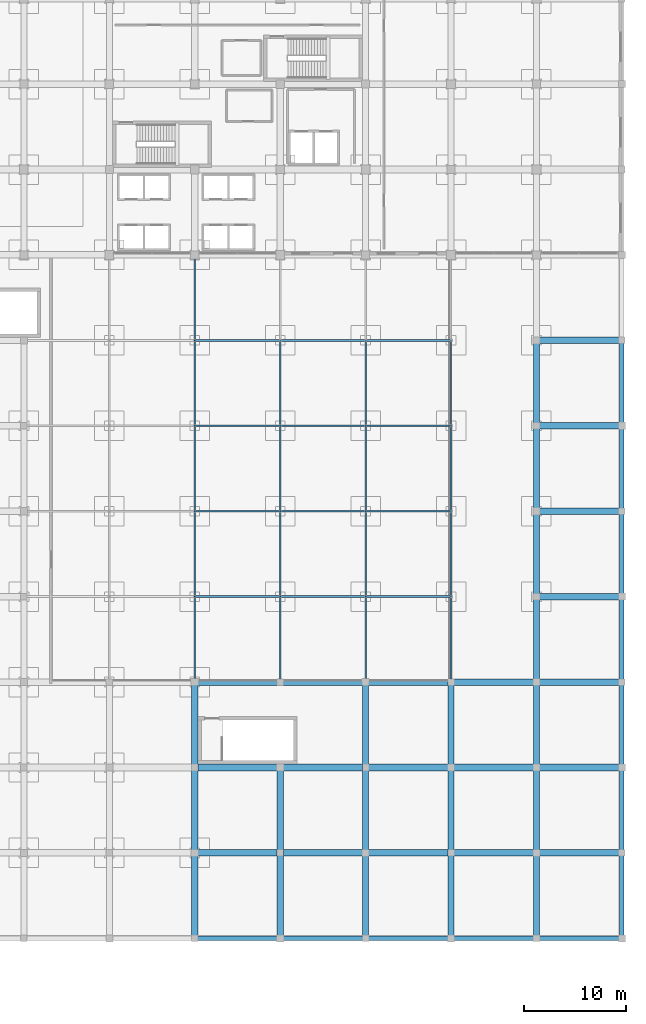
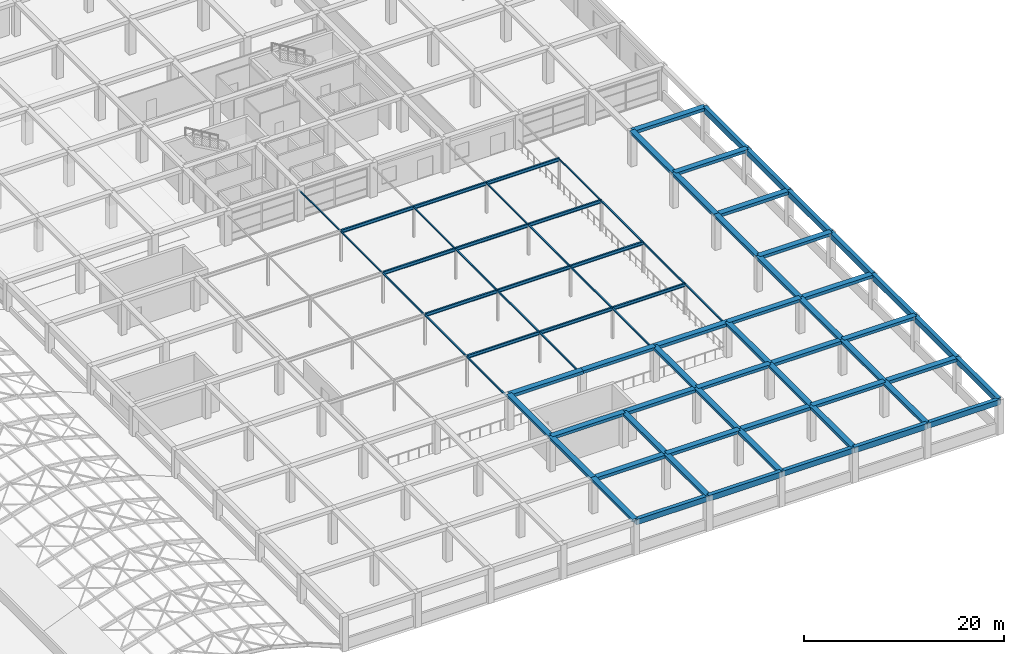
# One storey, part 52 of 85: 61 beams, 17 members.
"""IFC4 building model written with IfcOpenShell, lengths in metres."""

from ifc_helpers import new_model, si_unit, direction, frame, origin, origin_2d, place, context, subcontext, project, spatial, rectangle, hollow_rectangle, i_section, extrude, material, material_profile, profile_set, type_object, element, save


model = new_model("IFC4")

# Units and contexts
model_context = context("Model", 3, precision=1e-05, world=origin(), true_north=direction((0.0, 1.0)))
body_context = subcontext(model_context, "Body", "Model", "MODEL_VIEW")
ifc_project = project(units=[si_unit("LENGTHUNIT", "METRE"), si_unit("AREAUNIT", "SQUARE_METRE"), si_unit("VOLUMEUNIT", "CUBIC_METRE"), si_unit("PLANEANGLEUNIT", "RADIAN"), si_unit("MASSUNIT", "GRAM", prefix="KILO")], contexts=[model_context])

# Site, building, storey
site_placement = place(None, origin())
site = spatial("IfcSite", under=ifc_project, at=site_placement, CompositionType="ELEMENT")
building_placement = place(site_placement, origin())
building = spatial("IfcBuilding", under=site, at=building_placement, Name="Almacenes y Pasaje Nevantli", CompositionType="ELEMENT")
storey_placement = place(building_placement, frame((0.0, 0.0, 22.199951171875)))
storey = spatial("IfcBuildingStorey", under=building, at=storey_placement, Name="L05", CompositionType="ELEMENT", Elevation=22.199951171875)

# Beams
ifc_material_1 = material(Name="Concrete C35/45", Category="concrete")
ifc_material_profile_1 = material_profile(ifc_material_1, rectangle(XDim=0.449951171875, YDim=0.64990234375, at=origin_2d()), Name="RC-BM-450x650")
ifc_profile_set_1 = profile_set([ifc_material_profile_1], Name="Concrete C35/45")
beam_type_1 = type_object("IfcBeamType", Name="BM-RC-450x650", PredefinedType="SPANDREL", material=ifc_profile_set_1)
for number, where, z_axis, x_axis, name in (
    (1, (126.0, 0.0, 3.89501953125), (1.0, 0.0, 0.0), (0.0, 1.0, 0.0), "L05 East-West Reinforced Concrete Beam #3267"),
    (2, (142.800048828125, 0.0, 3.89501953125), (1.0, 0.0, 0.0), (0.0, 1.0, 0.0), "L05 East-West Reinforced Concrete Beam #3269"),
    (3, (159.60009765625, 0.0, 3.89501953125), (1.0, 0.0, 0.0), (0.0, 1.0, 0.0), "L05 East-West Reinforced Concrete Beam #3271"),
):
    element("IfcBeam", number, at=place(storey_placement, frame(where, z_axis=z_axis, x_axis=x_axis)), inside=storey, type_object=beam_type_1, Name=name, PredefinedType="SPANDREL", context=body_context, shape_type="SweptSolid", body=[
        extrude(rectangle(XDim=0.449951171875, YDim=0.64990234375, at=origin_2d()), origin(), (0.0, 0.0, 1.0), 8.39990234375),
    ])
ifc_material_2 = material(Name="Concrete C35/45", Category="concrete")
ifc_material_profile_2 = material_profile(ifc_material_2, rectangle(XDim=0.449951171875, YDim=0.699951171875, at=origin_2d()), Name="RC-BM-450x700")
ifc_profile_set_2 = profile_set([ifc_material_profile_2], Name="Concrete C35/45")
beam_type_2 = type_object("IfcBeamType", Name="BM-RC-450x700", PredefinedType="SPANDREL", material=ifc_profile_set_2)
for number, where, z_axis, x_axis, name in (
    (4, (134.39990234375, 0.0, 3.8701171875), (1.0, 0.0, 0.0), (0.0, 1.0, 0.0), "L05 East-West Reinforced Concrete Beam #3268"),
    (5, (151.199951171875, 0.0, 3.8701171875), (1.0, 0.0, 0.0), (0.0, 1.0, 0.0), "L05 East-West Reinforced Concrete Beam #3270"),
):
    element("IfcBeam", number, at=place(storey_placement, frame(where, z_axis=z_axis, x_axis=x_axis)), inside=storey, type_object=beam_type_2, Name=name, PredefinedType="SPANDREL", context=body_context, shape_type="SweptSolid", body=[
        extrude(rectangle(XDim=0.449951171875, YDim=0.699951171875, at=origin_2d()), origin(), (0.0, 0.0, 1.0), 8.400146484375),
    ])
beam_1_placement = place(storey_placement, frame((168.0, 0.0, 3.8701171875), z_axis=(0.0, 1.0, 0.0), x_axis=(-1.0, 0.0, 0.0)))
element("IfcBeam", 6, at=beam_1_placement, inside=storey, type_object=beam_type_2, Name="L05 North-South Reinforced Concrete Beam #3559", PredefinedType="SPANDREL", context=body_context, shape_type="SweptSolid", body=[
    extrude(rectangle(XDim=0.449951171875, YDim=0.699951171875, at=origin_2d()), origin(), (0.0, 0.0, 1.0), 8.39990234375),
])
beam_2_placement = place(storey_placement, frame((168.0, 8.39990234375, 3.8701171875), z_axis=(0.0, 1.0, 0.0), x_axis=(-1.0, 0.0, 0.0)))
element("IfcBeam", 7, at=beam_2_placement, inside=storey, type_object=beam_type_2, Name="L05 North-South Reinforced Concrete Beam #3560", PredefinedType="SPANDREL", context=body_context, shape_type="SweptSolid", body=[
    extrude(rectangle(XDim=0.449951171875, YDim=0.699951171875, at=origin_2d()), origin(), (0.0, 0.0, 1.0), 8.400146484375),
])
beam_3_placement = place(storey_placement, frame((168.0, 16.800048828125, 3.8701171875), z_axis=(0.0, 1.0, 0.0), x_axis=(-1.0, 0.0, 0.0)))
element("IfcBeam", 8, at=beam_3_placement, inside=storey, type_object=beam_type_2, Name="L05 North-South Reinforced Concrete Beam #3561", PredefinedType="SPANDREL", context=body_context, shape_type="SweptSolid", body=[
    extrude(rectangle(XDim=0.449951171875, YDim=0.699951171875, at=origin_2d()), origin(), (0.0, 0.0, 1.0), 8.39990234375),
])
beam_4_placement = place(storey_placement, frame((168.0, 25.199951171875, 3.8701171875), z_axis=(0.0, 1.0, 0.0), x_axis=(-1.0, 0.0, 0.0)))
element("IfcBeam", 9, at=beam_4_placement, inside=storey, type_object=beam_type_2, Name="L05 North-South Reinforced Concrete Beam #3562", PredefinedType="SPANDREL", context=body_context, shape_type="SweptSolid", body=[
    extrude(rectangle(XDim=0.449951171875, YDim=0.699951171875, at=origin_2d()), origin(), (0.0, 0.0, 1.0), 8.400146484375),
])
for number, where, z_axis, x_axis, name in (
    (10, (168.0, 33.60009765625, 3.8701171875), (0.0, 1.0, 0.0), (-1.0, 0.0, 0.0), "L05 North-South Reinforced Concrete Beam #3563"),
    (11, (168.0, 42.0, 3.8701171875), (0.0, 1.0, 0.0), (-1.0, 0.0, 0.0), "L05 North-South Reinforced Concrete Beam #3564"),
):
    element("IfcBeam", number, at=place(storey_placement, frame(where, z_axis=z_axis, x_axis=x_axis)), inside=storey, type_object=beam_type_2, Name=name, PredefinedType="SPANDREL", context=body_context, shape_type="SweptSolid", body=[
        extrude(rectangle(XDim=0.449951171875, YDim=0.699951171875, at=origin_2d()), origin(), (0.0, 0.0, 1.0), 8.39990234375),
    ])
beam_5_placement = place(storey_placement, frame((168.0, 50.39990234375, 3.8701171875), z_axis=(0.0, 1.0, 0.0), x_axis=(-1.0, 0.0, 0.0)))
element("IfcBeam", 12, at=beam_5_placement, inside=storey, type_object=beam_type_2, Name="L05 North-South Reinforced Concrete Beam #3565", PredefinedType="SPANDREL", context=body_context, shape_type="SweptSolid", body=[
    extrude(rectangle(XDim=0.449951171875, YDim=0.699951171875, at=origin_2d()), origin(), (0.0, 0.0, 1.0), 8.400146484375),
])
ifc_material_3 = material(Name="Concrete C35/45", Category="concrete")
ifc_material_profile_3 = material_profile(ifc_material_3, rectangle(XDim=0.60009765625, YDim=0.320068359375, at=origin_2d()), Name="RC-BM-600x320")
ifc_profile_set_3 = profile_set([ifc_material_profile_3], Name="Concrete C35/45")
beam_type_3 = type_object("IfcBeamType", Name="BM-RC-600x320", PredefinedType="BEAM", material=ifc_profile_set_3)
for number, where, z_axis, x_axis, name in (
    (13, (126.0, 0.0, 4.06005859375), (0.0, 1.0, 0.0), (-1.0, 0.0, 0.0), "L05 North-South Reinforced Concrete Beam #3513"),
    (14, (126.0, 16.800048828125, 4.06005859375), (0.0, 1.0, 0.0), (-1.0, 0.0, 0.0), "L05 North-South Reinforced Concrete Beam #3515"),
):
    element("IfcBeam", number, at=place(storey_placement, frame(where, z_axis=z_axis, x_axis=x_axis)), inside=storey, type_object=beam_type_3, Name=name, PredefinedType="BEAM", context=body_context, shape_type="SweptSolid", body=[
        extrude(rectangle(XDim=0.60009765625, YDim=0.320068359375, at=origin_2d()), origin(), (0.0, 0.0, 1.0), 8.39990234375),
    ])
beam_6_placement = place(storey_placement, frame((134.39990234375, 8.39990234375, 4.06005859375), z_axis=(0.0, 1.0, 0.0), x_axis=(-1.0, 0.0, 0.0)))
element("IfcBeam", 15, at=beam_6_placement, inside=storey, type_object=beam_type_3, Name="L05 North-South Reinforced Concrete Beam #3522", PredefinedType="BEAM", context=body_context, shape_type="SweptSolid", body=[
    extrude(rectangle(XDim=0.60009765625, YDim=0.320068359375, at=origin_2d()), origin(), (0.0, 0.0, 1.0), 8.400146484375),
])
for number, where, z_axis, x_axis, name in (
    (16, (142.800048828125, 0.0, 4.06005859375), (0.0, 1.0, 0.0), (-1.0, 0.0, 0.0), "L05 North-South Reinforced Concrete Beam #3528"),
    (17, (142.800048828125, 16.800048828125, 4.06005859375), (0.0, 1.0, 0.0), (-1.0, 0.0, 0.0), "L05 North-South Reinforced Concrete Beam #3530"),
):
    element("IfcBeam", number, at=place(storey_placement, frame(where, z_axis=z_axis, x_axis=x_axis)), inside=storey, type_object=beam_type_3, Name=name, PredefinedType="BEAM", context=body_context, shape_type="SweptSolid", body=[
        extrude(rectangle(XDim=0.60009765625, YDim=0.320068359375, at=origin_2d()), origin(), (0.0, 0.0, 1.0), 8.39990234375),
    ])
beam_7_placement = place(storey_placement, frame((151.199951171875, 8.39990234375, 4.06005859375), z_axis=(0.0, 1.0, 0.0), x_axis=(-1.0, 0.0, 0.0)))
element("IfcBeam", 18, at=beam_7_placement, inside=storey, type_object=beam_type_3, Name="L05 North-South Reinforced Concrete Beam #3538", PredefinedType="BEAM", context=body_context, shape_type="SweptSolid", body=[
    extrude(rectangle(XDim=0.60009765625, YDim=0.320068359375, at=origin_2d()), origin(), (0.0, 0.0, 1.0), 8.400146484375),
])
for number, where, z_axis, x_axis, name in (
    (19, (159.60009765625, 0.0, 4.06005859375), (0.0, 1.0, 0.0), (-1.0, 0.0, 0.0), "L05 North-South Reinforced Concrete Beam #3545"),
    (20, (159.60009765625, 16.800048828125, 4.06005859375), (0.0, 1.0, 0.0), (-1.0, 0.0, 0.0), "L05 North-South Reinforced Concrete Beam #3547"),
    (21, (159.60009765625, 33.60009765625, 4.06005859375), (0.0, 1.0, 0.0), (-1.0, 0.0, 0.0), "L05 North-South Reinforced Concrete Beam #3549"),
):
    element("IfcBeam", number, at=place(storey_placement, frame(where, z_axis=z_axis, x_axis=x_axis)), inside=storey, type_object=beam_type_3, Name=name, PredefinedType="BEAM", context=body_context, shape_type="SweptSolid", body=[
        extrude(rectangle(XDim=0.60009765625, YDim=0.320068359375, at=origin_2d()), origin(), (0.0, 0.0, 1.0), 8.39990234375),
    ])
beam_8_placement = place(storey_placement, frame((159.60009765625, 50.39990234375, 4.06005859375), z_axis=(0.0, 1.0, 0.0), x_axis=(-1.0, 0.0, 0.0)))
element("IfcBeam", 22, at=beam_8_placement, inside=storey, type_object=beam_type_3, Name="L05 North-South Reinforced Concrete Beam #3551", PredefinedType="BEAM", context=body_context, shape_type="SweptSolid", body=[
    extrude(rectangle(XDim=0.60009765625, YDim=0.320068359375, at=origin_2d()), origin(), (0.0, 0.0, 1.0), 8.400146484375),
])
ifc_material_4 = material(Name="Concrete C35/45", Category="concrete")
ifc_material_profile_4 = material_profile(ifc_material_4, rectangle(XDim=0.60009765625, YDim=0.340087890625, at=origin_2d()), Name="RC-BM-600x340")
ifc_profile_set_4 = profile_set([ifc_material_profile_4], Name="Concrete C35/45")
beam_type_4 = type_object("IfcBeamType", Name="BM-RC-600x340", PredefinedType="BEAM", material=ifc_profile_set_4)
beam_9_placement = place(storey_placement, frame((126.0, 8.39990234375, 4.050048828125), z_axis=(0.0, 1.0, 0.0), x_axis=(-1.0, 0.0, 0.0)))
element("IfcBeam", 23, at=beam_9_placement, inside=storey, type_object=beam_type_4, Name="L05 North-South Reinforced Concrete Beam #3514", PredefinedType="BEAM", context=body_context, shape_type="SweptSolid", body=[
    extrude(rectangle(XDim=0.60009765625, YDim=0.340087890625, at=origin_2d()), origin(), (0.0, 0.0, 1.0), 8.400146484375),
])
beam_10_placement = place(storey_placement, frame((134.39990234375, 0.0, 4.050048828125), z_axis=(0.0, 1.0, 0.0), x_axis=(-1.0, 0.0, 0.0)))
element("IfcBeam", 24, at=beam_10_placement, inside=storey, type_object=beam_type_4, Name="L05 North-South Reinforced Concrete Beam #3521", PredefinedType="BEAM", context=body_context, shape_type="SweptSolid", body=[
    extrude(rectangle(XDim=0.60009765625, YDim=0.340087890625, at=origin_2d()), origin(), (0.0, 0.0, 1.0), 8.39990234375),
])
beam_11_placement = place(storey_placement, frame((142.800048828125, 8.39990234375, 4.050048828125), z_axis=(0.0, 1.0, 0.0), x_axis=(-1.0, 0.0, 0.0)))
element("IfcBeam", 25, at=beam_11_placement, inside=storey, type_object=beam_type_4, Name="L05 North-South Reinforced Concrete Beam #3529", PredefinedType="BEAM", context=body_context, shape_type="SweptSolid", body=[
    extrude(rectangle(XDim=0.60009765625, YDim=0.340087890625, at=origin_2d()), origin(), (0.0, 0.0, 1.0), 8.400146484375),
])
for number, where, z_axis, x_axis, name in (
    (26, (151.199951171875, 0.0, 4.050048828125), (0.0, 1.0, 0.0), (-1.0, 0.0, 0.0), "L05 North-South Reinforced Concrete Beam #3537"),
    (27, (151.199951171875, 16.800048828125, 4.050048828125), (0.0, 1.0, 0.0), (-1.0, 0.0, 0.0), "L05 North-South Reinforced Concrete Beam #3539"),
):
    element("IfcBeam", number, at=place(storey_placement, frame(where, z_axis=z_axis, x_axis=x_axis)), inside=storey, type_object=beam_type_4, Name=name, PredefinedType="BEAM", context=body_context, shape_type="SweptSolid", body=[
        extrude(rectangle(XDim=0.60009765625, YDim=0.340087890625, at=origin_2d()), origin(), (0.0, 0.0, 1.0), 8.39990234375),
    ])
for number, where, z_axis, x_axis, name in (
    (28, (159.60009765625, 8.39990234375, 4.050048828125), (0.0, 1.0, 0.0), (-1.0, 0.0, 0.0), "L05 North-South Reinforced Concrete Beam #3546"),
    (29, (159.60009765625, 25.199951171875, 4.050048828125), (0.0, 1.0, 0.0), (-1.0, 0.0, 0.0), "L05 North-South Reinforced Concrete Beam #3548"),
):
    element("IfcBeam", number, at=place(storey_placement, frame(where, z_axis=z_axis, x_axis=x_axis)), inside=storey, type_object=beam_type_4, Name=name, PredefinedType="BEAM", context=body_context, shape_type="SweptSolid", body=[
        extrude(rectangle(XDim=0.60009765625, YDim=0.340087890625, at=origin_2d()), origin(), (0.0, 0.0, 1.0), 8.400146484375),
    ])
beam_12_placement = place(storey_placement, frame((159.60009765625, 42.0, 4.050048828125), z_axis=(0.0, 1.0, 0.0), x_axis=(-1.0, 0.0, 0.0)))
element("IfcBeam", 30, at=beam_12_placement, inside=storey, type_object=beam_type_4, Name="L05 North-South Reinforced Concrete Beam #3550", PredefinedType="BEAM", context=body_context, shape_type="SweptSolid", body=[
    extrude(rectangle(XDim=0.60009765625, YDim=0.340087890625, at=origin_2d()), origin(), (0.0, 0.0, 1.0), 8.39990234375),
])
ifc_material_5 = material(Name="Concrete C35/45", Category="concrete")
ifc_material_profile_5 = material_profile(ifc_material_5, rectangle(XDim=0.64990234375, YDim=0.35009765625, at=origin_2d()), Name="RC-BM-650x350")
ifc_profile_set_5 = profile_set([ifc_material_profile_5], Name="Concrete C35/45")
beam_type_5 = type_object("IfcBeamType", Name="BM-RC-650x350", PredefinedType="BEAM", material=ifc_profile_set_5)
for number, where, z_axis, x_axis, name in (
    (31, (134.39990234375, 8.39990234375, 4.045166015625), (1.0, 0.0, 0.0), (0.0, 1.0, 0.0), "L05 East-West Reinforced Concrete Beam #3277"),
    (32, (151.199951171875, 8.39990234375, 4.045166015625), (1.0, 0.0, 0.0), (0.0, 1.0, 0.0), "L05 East-West Reinforced Concrete Beam #3279"),
):
    element("IfcBeam", number, at=place(storey_placement, frame(where, z_axis=z_axis, x_axis=x_axis)), inside=storey, type_object=beam_type_5, Name=name, PredefinedType="BEAM", context=body_context, shape_type="SweptSolid", body=[
        extrude(rectangle(XDim=0.64990234375, YDim=0.35009765625, at=origin_2d()), origin(), (0.0, 0.0, 1.0), 8.400146484375),
    ])
for number, where, z_axis, x_axis, name in (
    (33, (126.0, 16.800048828125, 4.045166015625), (1.0, 0.0, 0.0), (0.0, 1.0, 0.0), "L05 East-West Reinforced Concrete Beam #3285"),
    (34, (142.800048828125, 16.800048828125, 4.045166015625), (1.0, 0.0, 0.0), (0.0, 1.0, 0.0), "L05 East-West Reinforced Concrete Beam #3287"),
    (35, (159.60009765625, 16.800048828125, 4.045166015625), (1.0, 0.0, 0.0), (0.0, 1.0, 0.0), "L05 East-West Reinforced Concrete Beam #3289"),
):
    element("IfcBeam", number, at=place(storey_placement, frame(where, z_axis=z_axis, x_axis=x_axis)), inside=storey, type_object=beam_type_5, Name=name, PredefinedType="BEAM", context=body_context, shape_type="SweptSolid", body=[
        extrude(rectangle(XDim=0.64990234375, YDim=0.35009765625, at=origin_2d()), origin(), (0.0, 0.0, 1.0), 8.39990234375),
    ])
for number, where, z_axis, x_axis, name in (
    (36, (134.39990234375, 25.199951171875, 4.045166015625), (1.0, 0.0, 0.0), (0.0, 1.0, 0.0), "L05 East-West Reinforced Concrete Beam #3295"),
    (37, (151.199951171875, 25.199951171875, 4.045166015625), (1.0, 0.0, 0.0), (0.0, 1.0, 0.0), "L05 East-West Reinforced Concrete Beam #3297"),
):
    element("IfcBeam", number, at=place(storey_placement, frame(where, z_axis=z_axis, x_axis=x_axis)), inside=storey, type_object=beam_type_5, Name=name, PredefinedType="BEAM", context=body_context, shape_type="SweptSolid", body=[
        extrude(rectangle(XDim=0.64990234375, YDim=0.35009765625, at=origin_2d()), origin(), (0.0, 0.0, 1.0), 8.400146484375),
    ])
for number, where, z_axis, x_axis, name in (
    (38, (159.60009765625, 33.60009765625, 4.045166015625), (1.0, 0.0, 0.0), (0.0, 1.0, 0.0), "L05 East-West Reinforced Concrete Beam #3301"),
    (39, (159.60009765625, 50.39990234375, 4.045166015625), (1.0, 0.0, 0.0), (0.0, 1.0, 0.0), "L05 East-West Reinforced Concrete Beam #3307"),
):
    element("IfcBeam", number, at=place(storey_placement, frame(where, z_axis=z_axis, x_axis=x_axis)), inside=storey, type_object=beam_type_5, Name=name, PredefinedType="BEAM", context=body_context, shape_type="SweptSolid", body=[
        extrude(rectangle(XDim=0.64990234375, YDim=0.35009765625, at=origin_2d()), origin(), (0.0, 0.0, 1.0), 8.39990234375),
    ])
ifc_material_6 = material(Name="Concrete C35/45", Category="concrete")
ifc_material_profile_6 = material_profile(ifc_material_6, rectangle(XDim=0.64990234375, YDim=0.3798828125, at=origin_2d()), Name="RC-BM-650x380")
ifc_profile_set_6 = profile_set([ifc_material_profile_6], Name="Concrete C35/45")
beam_type_6 = type_object("IfcBeamType", Name="BM-RC-650x380", PredefinedType="BEAM", material=ifc_profile_set_6)
for number, where, z_axis, x_axis, name in (
    (40, (126.0, 8.39990234375, 4.030029296875), (1.0, 0.0, 0.0), (0.0, 1.0, 0.0), "L05 East-West Reinforced Concrete Beam #3276"),
    (41, (142.800048828125, 8.39990234375, 4.030029296875), (1.0, 0.0, 0.0), (0.0, 1.0, 0.0), "L05 East-West Reinforced Concrete Beam #3278"),
    (42, (159.60009765625, 8.39990234375, 4.030029296875), (1.0, 0.0, 0.0), (0.0, 1.0, 0.0), "L05 East-West Reinforced Concrete Beam #3280"),
):
    element("IfcBeam", number, at=place(storey_placement, frame(where, z_axis=z_axis, x_axis=x_axis)), inside=storey, type_object=beam_type_6, Name=name, PredefinedType="BEAM", context=body_context, shape_type="SweptSolid", body=[
        extrude(rectangle(XDim=0.64990234375, YDim=0.3798828125, at=origin_2d()), origin(), (0.0, 0.0, 1.0), 8.39990234375),
    ])
for number, where, z_axis, x_axis, name in (
    (43, (134.39990234375, 16.800048828125, 4.030029296875), (1.0, 0.0, 0.0), (0.0, 1.0, 0.0), "L05 East-West Reinforced Concrete Beam #3286"),
    (44, (151.199951171875, 16.800048828125, 4.030029296875), (1.0, 0.0, 0.0), (0.0, 1.0, 0.0), "L05 East-West Reinforced Concrete Beam #3288"),
):
    element("IfcBeam", number, at=place(storey_placement, frame(where, z_axis=z_axis, x_axis=x_axis)), inside=storey, type_object=beam_type_6, Name=name, PredefinedType="BEAM", context=body_context, shape_type="SweptSolid", body=[
        extrude(rectangle(XDim=0.64990234375, YDim=0.3798828125, at=origin_2d()), origin(), (0.0, 0.0, 1.0), 8.400146484375),
    ])
for number, where, z_axis, x_axis, name in (
    (45, (126.0, 25.199951171875, 4.030029296875), (1.0, 0.0, 0.0), (0.0, 1.0, 0.0), "L05 East-West Reinforced Concrete Beam #3294"),
    (46, (142.800048828125, 25.199951171875, 4.030029296875), (1.0, 0.0, 0.0), (0.0, 1.0, 0.0), "L05 East-West Reinforced Concrete Beam #3296"),
    (47, (159.60009765625, 25.199951171875, 4.030029296875), (1.0, 0.0, 0.0), (0.0, 1.0, 0.0), "L05 East-West Reinforced Concrete Beam #3298"),
    (48, (159.60009765625, 42.0, 4.030029296875), (1.0, 0.0, 0.0), (0.0, 1.0, 0.0), "L05 East-West Reinforced Concrete Beam #3304"),
    (49, (159.60009765625, 58.800048828125, 4.030029296875), (1.0, 0.0, 0.0), (0.0, 1.0, 0.0), "L05 East-West Reinforced Concrete Beam #3310"),
):
    element("IfcBeam", number, at=place(storey_placement, frame(where, z_axis=z_axis, x_axis=x_axis)), inside=storey, type_object=beam_type_6, Name=name, PredefinedType="BEAM", context=body_context, shape_type="SweptSolid", body=[
        extrude(rectangle(XDim=0.64990234375, YDim=0.3798828125, at=origin_2d()), origin(), (0.0, 0.0, 1.0), 8.39990234375),
    ])
ifc_material_7 = material(Name="Steel ASTM A992", Category="steel")
ifc_material_profile_7 = material_profile(ifc_material_7, i_section(OverallWidth=0.180908203125, OverallDepth=0.406005859375, WebThickness=0.010986328125, FlangeThickness=0.018310546875, at=origin_2d()), Name="IR 406x85.0")
ifc_profile_set_7 = profile_set([ifc_material_profile_7], Name="Steel ASTM A992")
beam_type_7 = type_object("IfcBeamType", Name="BM-STL-IR-406x85p0", PredefinedType="BEAM", material=ifc_profile_set_7)
for number, where, z_axis, x_axis, name in (
    (50, (126.0, 33.60009765625, 3.60009765625), (1.0, 0.0, 0.0), (0.0, 1.0, 0.0), "L05 Ziggurat Terrace Pergola Steel Girder #9"),
    (51, (126.0, 42.0, 3.60009765625), (1.0, 0.0, 0.0), (0.0, 1.0, 0.0), "L05 Ziggurat Terrace Pergola Steel Girder #10"),
    (52, (126.0, 50.39990234375, 3.60009765625), (1.0, 0.0, 0.0), (0.0, 1.0, 0.0), "L05 Ziggurat Terrace Pergola Steel Girder #11"),
    (53, (126.0, 58.800048828125, 3.60009765625), (1.0, 0.0, 0.0), (0.0, 1.0, 0.0), "L05 Ziggurat Terrace Pergola Steel Girder #12"),
):
    element("IfcBeam", number, at=place(storey_placement, frame(where, z_axis=z_axis, x_axis=x_axis)), inside=storey, type_object=beam_type_7, Name=name, PredefinedType="BEAM", context=body_context, shape_type="SweptSolid", body=[
        extrude(i_section(OverallWidth=0.180908203125, OverallDepth=0.406005859375, WebThickness=0.010986328125, FlangeThickness=0.018310546875, at=origin_2d()), origin(), (0.0, 0.0, 1.0), 8.39990234375),
    ])
for number, where, z_axis, x_axis, name in (
    (54, (134.39990234375, 33.60009765625, 3.60009765625), (1.0, 0.0, 0.0), (0.0, 1.0, 0.0), "L05 Ziggurat Terrace Pergola Steel Girder #13"),
    (55, (134.39990234375, 42.0, 3.60009765625), (1.0, 0.0, 0.0), (0.0, 1.0, 0.0), "L05 Ziggurat Terrace Pergola Steel Girder #14"),
    (56, (134.39990234375, 50.39990234375, 3.60009765625), (1.0, 0.0, 0.0), (0.0, 1.0, 0.0), "L05 Ziggurat Terrace Pergola Steel Girder #15"),
    (57, (134.39990234375, 58.800048828125, 3.60009765625), (1.0, 0.0, 0.0), (0.0, 1.0, 0.0), "L05 Ziggurat Terrace Pergola Steel Girder #16"),
):
    element("IfcBeam", number, at=place(storey_placement, frame(where, z_axis=z_axis, x_axis=x_axis)), inside=storey, type_object=beam_type_7, Name=name, PredefinedType="BEAM", context=body_context, shape_type="SweptSolid", body=[
        extrude(i_section(OverallWidth=0.180908203125, OverallDepth=0.406005859375, WebThickness=0.010986328125, FlangeThickness=0.018310546875, at=origin_2d()), origin(), (0.0, 0.0, 1.0), 8.400146484375),
    ])
for number, where, z_axis, x_axis, name in (
    (58, (142.800048828125, 33.60009765625, 3.60009765625), (1.0, 0.0, 0.0), (0.0, 1.0, 0.0), "L05 Ziggurat Terrace Pergola Steel Girder #17"),
    (59, (142.800048828125, 42.0, 3.60009765625), (1.0, 0.0, 0.0), (0.0, 1.0, 0.0), "L05 Ziggurat Terrace Pergola Steel Girder #18"),
    (60, (142.800048828125, 50.39990234375, 3.60009765625), (1.0, 0.0, 0.0), (0.0, 1.0, 0.0), "L05 Ziggurat Terrace Pergola Steel Girder #19"),
    (61, (142.800048828125, 58.800048828125, 3.60009765625), (1.0, 0.0, 0.0), (0.0, 1.0, 0.0), "L05 Ziggurat Terrace Pergola Steel Girder #20"),
):
    element("IfcBeam", number, at=place(storey_placement, frame(where, z_axis=z_axis, x_axis=x_axis)), inside=storey, type_object=beam_type_7, Name=name, PredefinedType="BEAM", context=body_context, shape_type="SweptSolid", body=[
        extrude(i_section(OverallWidth=0.180908203125, OverallDepth=0.406005859375, WebThickness=0.010986328125, FlangeThickness=0.018310546875, at=origin_2d()), origin(), (0.0, 0.0, 1.0), 8.39990234375),
    ])

# Members
ifc_material_8 = material(Name="Steel ASTM A500 Grade C", Category="steel")
ifc_material_profile_8 = material_profile(ifc_material_8, hollow_rectangle(XDim=0.126953125, YDim=0.126953125, WallThickness=0.00634765625, at=origin_2d()), Name="OR 127x127x6.4")
ifc_profile_set_8 = profile_set([ifc_material_profile_8], Name="Steel ASTM A500 Grade C")
member_type_1 = type_object("IfcMemberType", Name="MBR-PUR-OR127x127", PredefinedType="PURLIN", material=ifc_profile_set_8)
member_1_placement = place(storey_placement, frame((126.0, 50.39990234375, 3.60009765625), z_axis=(0.0, 1.0, 0.0), x_axis=(-1.0, 0.0, 0.0)))
element("IfcMember", 62, at=member_1_placement, inside=storey, type_object=member_type_1, Name="L05 Ziggurat Terrace Pergola Steel Tie #29", PredefinedType="PURLIN", context=body_context, shape_type="SweptSolid", body=[
    extrude(hollow_rectangle(XDim=0.126953125, YDim=0.126953125, WallThickness=0.00634765625, at=origin_2d()), origin(), (0.0, 0.0, 1.0), 8.400146484375),
])
member_2_placement = place(storey_placement, frame((126.0, 58.800048828125, 3.60009765625), z_axis=(0.0, 1.0, 0.0), x_axis=(-1.0, 0.0, 0.0)))
element("IfcMember", 63, at=member_2_placement, inside=storey, type_object=member_type_1, Name="L05 Ziggurat Terrace Pergola Steel Tie #30", PredefinedType="PURLIN", context=body_context, shape_type="SweptSolid", body=[
    extrude(hollow_rectangle(XDim=0.126953125, YDim=0.126953125, WallThickness=0.00634765625, at=origin_2d()), origin(), (0.0, 0.0, 1.0), 8.39990234375),
])
for number, where, z_axis, x_axis, name in (
    (64, (134.39990234375, 50.39990234375, 3.60009765625), (0.0, 1.0, 0.0), (-1.0, 0.0, 0.0), "L05 Ziggurat Terrace Pergola Steel Tie #34"),
    (65, (142.800048828125, 50.39990234375, 3.60009765625), (0.0, 1.0, 0.0), (-1.0, 0.0, 0.0), "L05 Ziggurat Terrace Pergola Steel Tie #39"),
    (66, (151.199951171875, 50.39990234375, 3.60009765625), (0.0, 1.0, 0.0), (-1.0, 0.0, 0.0), "L05 Ziggurat Terrace Pergola Steel Tie #44"),
):
    element("IfcMember", number, at=place(storey_placement, frame(where, z_axis=z_axis, x_axis=x_axis)), inside=storey, type_object=member_type_1, Name=name, PredefinedType="PURLIN", context=body_context, shape_type="SweptSolid", body=[
        extrude(hollow_rectangle(XDim=0.126953125, YDim=0.126953125, WallThickness=0.00634765625, at=origin_2d()), origin(), (0.0, 0.0, 1.0), 8.400146484375),
    ])
ifc_material_9 = material(Name="Steel ASTM A500 Grade C", Category="steel")
ifc_material_profile_9 = material_profile(ifc_material_9, hollow_rectangle(XDim=0.15234375, YDim=0.15234375, WallThickness=0.00634765625, at=origin_2d()), Name="OR 152x152x6.4")
ifc_profile_set_9 = profile_set([ifc_material_profile_9], Name="Steel ASTM A500 Grade C")
member_type_2 = type_object("IfcMemberType", Name="MBR-PUR-OR152x152", PredefinedType="PURLIN", material=ifc_profile_set_9)
member_3_placement = place(storey_placement, frame((126.0, 25.199951171875, 3.60009765625), z_axis=(0.0, 1.0, 0.0), x_axis=(-1.0, 0.0, 0.0)))
element("IfcMember", 67, at=member_3_placement, inside=storey, type_object=member_type_2, Name="L05 Ziggurat Terrace Pergola Steel Tie #26", PredefinedType="PURLIN", context=body_context, shape_type="SweptSolid", body=[
    extrude(hollow_rectangle(XDim=0.15234375, YDim=0.15234375, WallThickness=0.00634765625, at=origin_2d()), origin(), (0.0, 0.0, 1.0), 8.400146484375),
])
for number, where, z_axis, x_axis, name in (
    (68, (126.0, 33.60009765625, 3.60009765625), (0.0, 1.0, 0.0), (-1.0, 0.0, 0.0), "L05 Ziggurat Terrace Pergola Steel Tie #27"),
    (69, (126.0, 42.0, 3.60009765625), (0.0, 1.0, 0.0), (-1.0, 0.0, 0.0), "L05 Ziggurat Terrace Pergola Steel Tie #28"),
):
    element("IfcMember", number, at=place(storey_placement, frame(where, z_axis=z_axis, x_axis=x_axis)), inside=storey, type_object=member_type_2, Name=name, PredefinedType="PURLIN", context=body_context, shape_type="SweptSolid", body=[
        extrude(hollow_rectangle(XDim=0.15234375, YDim=0.15234375, WallThickness=0.00634765625, at=origin_2d()), origin(), (0.0, 0.0, 1.0), 8.39990234375),
    ])
member_4_placement = place(storey_placement, frame((134.39990234375, 25.199951171875, 3.60009765625), z_axis=(0.0, 1.0, 0.0), x_axis=(-1.0, 0.0, 0.0)))
element("IfcMember", 70, at=member_4_placement, inside=storey, type_object=member_type_2, Name="L05 Ziggurat Terrace Pergola Steel Tie #31", PredefinedType="PURLIN", context=body_context, shape_type="SweptSolid", body=[
    extrude(hollow_rectangle(XDim=0.15234375, YDim=0.15234375, WallThickness=0.00634765625, at=origin_2d()), origin(), (0.0, 0.0, 1.0), 8.400146484375),
])
for number, where, z_axis, x_axis, name in (
    (71, (134.39990234375, 33.60009765625, 3.60009765625), (0.0, 1.0, 0.0), (-1.0, 0.0, 0.0), "L05 Ziggurat Terrace Pergola Steel Tie #32"),
    (72, (134.39990234375, 42.0, 3.60009765625), (0.0, 1.0, 0.0), (-1.0, 0.0, 0.0), "L05 Ziggurat Terrace Pergola Steel Tie #33"),
):
    element("IfcMember", number, at=place(storey_placement, frame(where, z_axis=z_axis, x_axis=x_axis)), inside=storey, type_object=member_type_2, Name=name, PredefinedType="PURLIN", context=body_context, shape_type="SweptSolid", body=[
        extrude(hollow_rectangle(XDim=0.15234375, YDim=0.15234375, WallThickness=0.00634765625, at=origin_2d()), origin(), (0.0, 0.0, 1.0), 8.39990234375),
    ])
member_5_placement = place(storey_placement, frame((142.800048828125, 25.199951171875, 3.60009765625), z_axis=(0.0, 1.0, 0.0), x_axis=(-1.0, 0.0, 0.0)))
element("IfcMember", 73, at=member_5_placement, inside=storey, type_object=member_type_2, Name="L05 Ziggurat Terrace Pergola Steel Tie #36", PredefinedType="PURLIN", context=body_context, shape_type="SweptSolid", body=[
    extrude(hollow_rectangle(XDim=0.15234375, YDim=0.15234375, WallThickness=0.00634765625, at=origin_2d()), origin(), (0.0, 0.0, 1.0), 8.400146484375),
])
for number, where, z_axis, x_axis, name in (
    (74, (142.800048828125, 33.60009765625, 3.60009765625), (0.0, 1.0, 0.0), (-1.0, 0.0, 0.0), "L05 Ziggurat Terrace Pergola Steel Tie #37"),
    (75, (142.800048828125, 42.0, 3.60009765625), (0.0, 1.0, 0.0), (-1.0, 0.0, 0.0), "L05 Ziggurat Terrace Pergola Steel Tie #38"),
):
    element("IfcMember", number, at=place(storey_placement, frame(where, z_axis=z_axis, x_axis=x_axis)), inside=storey, type_object=member_type_2, Name=name, PredefinedType="PURLIN", context=body_context, shape_type="SweptSolid", body=[
        extrude(hollow_rectangle(XDim=0.15234375, YDim=0.15234375, WallThickness=0.00634765625, at=origin_2d()), origin(), (0.0, 0.0, 1.0), 8.39990234375),
    ])
member_6_placement = place(storey_placement, frame((151.199951171875, 25.199951171875, 3.60009765625), z_axis=(0.0, 1.0, 0.0), x_axis=(-1.0, 0.0, 0.0)))
element("IfcMember", 76, at=member_6_placement, inside=storey, type_object=member_type_2, Name="L05 Ziggurat Terrace Pergola Steel Tie #41", PredefinedType="PURLIN", context=body_context, shape_type="SweptSolid", body=[
    extrude(hollow_rectangle(XDim=0.15234375, YDim=0.15234375, WallThickness=0.00634765625, at=origin_2d()), origin(), (0.0, 0.0, 1.0), 8.400146484375),
])
for number, where, z_axis, x_axis, name in (
    (77, (151.199951171875, 33.60009765625, 3.60009765625), (0.0, 1.0, 0.0), (-1.0, 0.0, 0.0), "L05 Ziggurat Terrace Pergola Steel Tie #42"),
    (78, (151.199951171875, 42.0, 3.60009765625), (0.0, 1.0, 0.0), (-1.0, 0.0, 0.0), "L05 Ziggurat Terrace Pergola Steel Tie #43"),
):
    element("IfcMember", number, at=place(storey_placement, frame(where, z_axis=z_axis, x_axis=x_axis)), inside=storey, type_object=member_type_2, Name=name, PredefinedType="PURLIN", context=body_context, shape_type="SweptSolid", body=[
        extrude(hollow_rectangle(XDim=0.15234375, YDim=0.15234375, WallThickness=0.00634765625, at=origin_2d()), origin(), (0.0, 0.0, 1.0), 8.39990234375),
    ])

save(model, "model.ifc")
